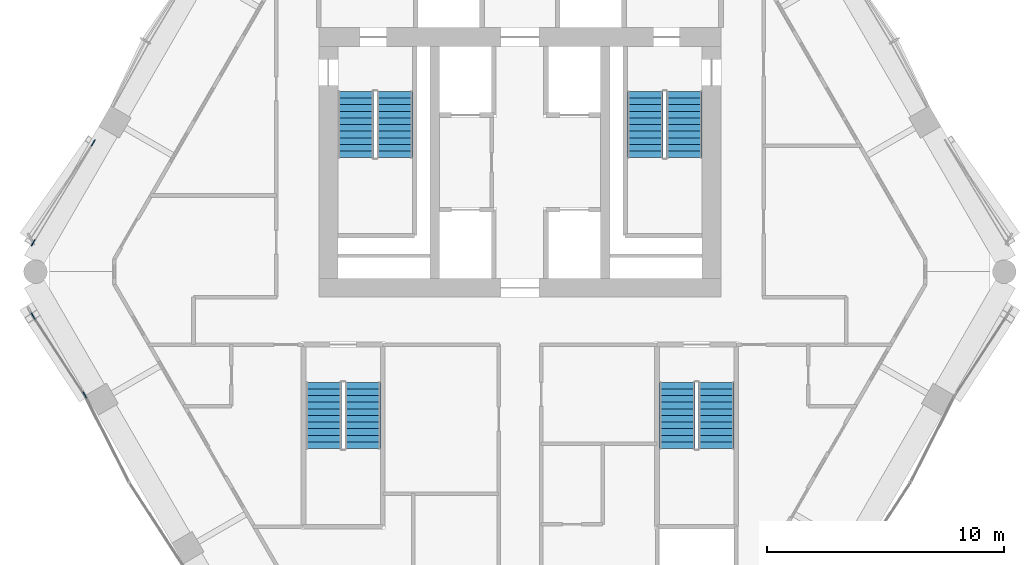
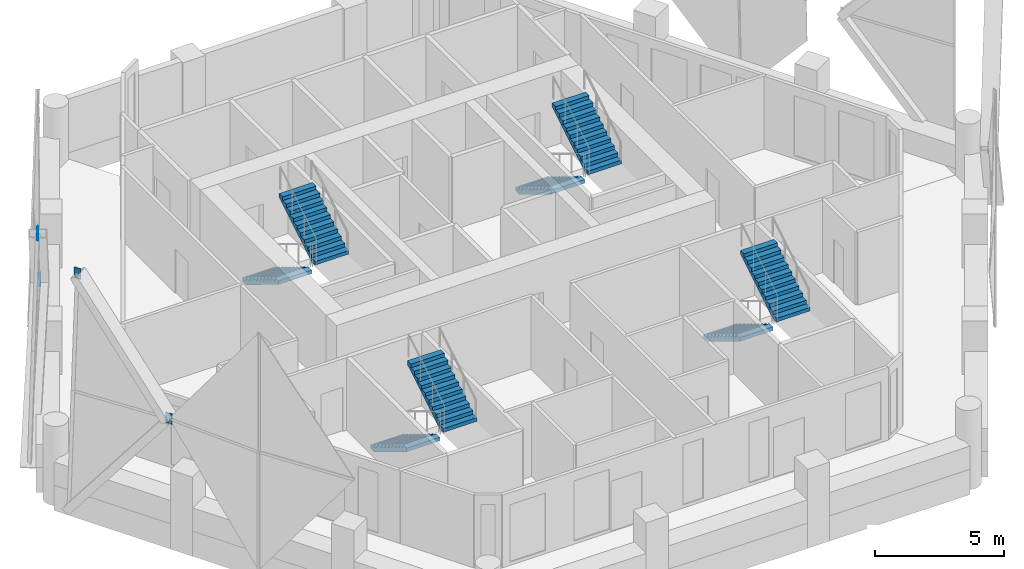
# One storey, part 11 of 13: 8 stair flights, 4 discrete accessories, 4 elements without a shape of their own.
"""IFC4 building model written with IfcOpenShell, lengths in metres."""

from ifc_helpers import new_model, si_unit, direction, frame, origin, origin_2d, place, context, subcontext, project, spatial, polyline, rectangle, outline, extrude, material, layer, layer_set, type_object, element, aggregate, save


model = new_model("IFC4")

# Units and contexts
model_context = context("Model", 3, precision=1e-05, world=origin(), true_north=direction((0.0, 1.0)))
body_context = subcontext(model_context, "Body", "Model", "MODEL_VIEW")
ifc_project = project(units=[si_unit("LENGTHUNIT", "METRE"), si_unit("AREAUNIT", "SQUARE_METRE"), si_unit("VOLUMEUNIT", "CUBIC_METRE"), si_unit("PLANEANGLEUNIT", "RADIAN"), si_unit("MASSUNIT", "GRAM", prefix="KILO")], contexts=[model_context])

# Site, building, storey
site_placement = place(None, origin())
site = spatial("IfcSite", under=ifc_project, at=site_placement, CompositionType="ELEMENT")
building_placement = place(site_placement, origin())
building = spatial("IfcBuilding", under=site, at=building_placement, Name="Ostrander Bayou Hotel Tower", CompositionType="ELEMENT")
storey_placement = place(building_placement, frame((0.0, 0.0, 187.0)))
storey = spatial("IfcBuildingStorey", under=building, at=storey_placement, Name="L46", CompositionType="ELEMENT", Elevation=187.0)

# Stair, stair flights
ifc_material_1 = material(Name="Concrete f'c 45 MPa", Category="concrete")
stair_type = type_object("IfcStairType", Name="ST1 exit stair 1500 mm f'c 45 MPa", PredefinedType="HALF_TURN_STAIR", material=ifc_material_1)
stair_1_placement = place(storey_placement, origin())
stair_1 = element("IfcStair", 1, at=stair_1_placement, inside=storey, type_object=stair_type, Name="L46 exit stair A", PredefinedType="HALF_TURN_STAIR")
ifc_material_2 = material(Name="Concrete f'c 45 MPa", Category="concrete")
stair_flight_type = type_object("IfcStairFlightType", Name="SF1 stair flight 1500 mm f'c 45 MPa", PredefinedType="STRAIGHT", material=ifc_material_2)
stair_flight_1_placement = place(storey_placement, frame((-6.949951171875, 7.0, 0.0), z_axis=(0.0, 0.0, 1.0), x_axis=(0.0, -1.0, 0.0)))
stair_flight_1 = element("IfcStairFlight", 2, at=stair_flight_1_placement, type_object=stair_flight_type, Name="STA flight 1", NumberOfRisers=11, NumberOfTreads=10, PredefinedType="STRAIGHT", RiserHeight=0.170454545, TreadLength=0.28, context=body_context, shape_type="SweptSolid", body=[
    extrude(outline(polyline([(0.0, 0.0), (0.0, 0.17041015625), (0.280029296875, 0.17041015625), (0.280029296875, 0.3408203125), (0.56005859375, 0.3408203125), (0.56005859375, 0.511474609375), (0.840087890625, 0.511474609375), (0.840087890625, 0.681884765625), (1.1201171875, 0.681884765625), (1.1201171875, 0.852294921875), (1.39990234375, 0.852294921875), (1.39990234375, 1.022705078125), (1.679931640625, 1.022705078125), (1.679931640625, 1.193115234375), (1.9599609375, 1.193115234375), (1.9599609375, 1.363525390625), (2.239990234375, 1.363525390625), (2.239990234375, 1.5341796875), (2.52001953125, 1.5341796875), (2.52001953125, 1.70458984375), (2.800048828125, 1.70458984375), (2.800048828125, 1.875), (2.800048828125, 1.529052734375), (0.288330078125, 0.0), (0.0, 0.0)])), frame((0.0, 0.75, 0.0), z_axis=(0.0, -1.0, 0.0), x_axis=(1.0, 0.0, 0.0)), (0.0, 0.0, 1.0), 1.5),
])
stair_flight_2_placement = place(storey_placement, frame((-5.300048828125, 4.199951171875, 1.875), z_axis=(0.0, 0.0, 1.0), x_axis=(0.0, 1.0, 0.0)))
stair_flight_2 = element("IfcStairFlight", 3, at=stair_flight_2_placement, type_object=stair_flight_type, Name="STA flight 2", NumberOfRisers=11, NumberOfTreads=10, PredefinedType="STRAIGHT", RiserHeight=0.170454545, TreadLength=0.28, context=body_context, shape_type="SweptSolid", body=[
    extrude(outline(polyline([(0.0, 0.0), (0.0, 0.17041015625), (0.280029296875, 0.17041015625), (0.280029296875, 0.3408203125), (0.56005859375, 0.3408203125), (0.56005859375, 0.511474609375), (0.840087890625, 0.511474609375), (0.840087890625, 0.681884765625), (1.1201171875, 0.681884765625), (1.1201171875, 0.852294921875), (1.39990234375, 0.852294921875), (1.39990234375, 1.022705078125), (1.679931640625, 1.022705078125), (1.679931640625, 1.193115234375), (1.9599609375, 1.193115234375), (1.9599609375, 1.363525390625), (2.239990234375, 1.363525390625), (2.239990234375, 1.5341796875), (2.52001953125, 1.5341796875), (2.52001953125, 1.70458984375), (2.800048828125, 1.70458984375), (2.800048828125, 1.875), (2.800048828125, 1.529052734375), (0.288330078125, 0.0), (0.0, 0.0)])), frame((0.0, 0.75, 0.0), z_axis=(0.0, -1.0, 0.0), x_axis=(1.0, 0.0, 0.0)), (0.0, 0.0, 1.0), 1.5),
])
aggregate(stair_1, [stair_flight_1, stair_flight_2])

stair_2_placement = place(storey_placement, origin())
stair_2 = element("IfcStair", 4, at=stair_2_placement, inside=storey, type_object=stair_type, Name="L46 exit stair B", PredefinedType="HALF_TURN_STAIR")
stair_flight_3_placement = place(storey_placement, frame((5.300048828125, 7.0, 0.0), z_axis=(0.0, 0.0, 1.0), x_axis=(0.0, -1.0, 0.0)))
stair_flight_3 = element("IfcStairFlight", 5, at=stair_flight_3_placement, type_object=stair_flight_type, Name="STB flight 1", NumberOfRisers=11, NumberOfTreads=10, PredefinedType="STRAIGHT", RiserHeight=0.170454545, TreadLength=0.28, context=body_context, shape_type="SweptSolid", body=[
    extrude(outline(polyline([(0.0, 0.0), (0.0, 0.17041015625), (0.280029296875, 0.17041015625), (0.280029296875, 0.3408203125), (0.56005859375, 0.3408203125), (0.56005859375, 0.511474609375), (0.840087890625, 0.511474609375), (0.840087890625, 0.681884765625), (1.1201171875, 0.681884765625), (1.1201171875, 0.852294921875), (1.39990234375, 0.852294921875), (1.39990234375, 1.022705078125), (1.679931640625, 1.022705078125), (1.679931640625, 1.193115234375), (1.9599609375, 1.193115234375), (1.9599609375, 1.363525390625), (2.239990234375, 1.363525390625), (2.239990234375, 1.5341796875), (2.52001953125, 1.5341796875), (2.52001953125, 1.70458984375), (2.800048828125, 1.70458984375), (2.800048828125, 1.875), (2.800048828125, 1.529052734375), (0.288330078125, 0.0), (0.0, 0.0)])), frame((0.0, 0.75, 0.0), z_axis=(0.0, -1.0, 0.0), x_axis=(1.0, 0.0, 0.0)), (0.0, 0.0, 1.0), 1.5),
])
stair_flight_4_placement = place(storey_placement, frame((6.949951171875, 4.199951171875, 1.875), z_axis=(0.0, 0.0, 1.0), x_axis=(0.0, 1.0, 0.0)))
stair_flight_4 = element("IfcStairFlight", 6, at=stair_flight_4_placement, type_object=stair_flight_type, Name="STB flight 2", NumberOfRisers=11, NumberOfTreads=10, PredefinedType="STRAIGHT", RiserHeight=0.170454545, TreadLength=0.28, context=body_context, shape_type="SweptSolid", body=[
    extrude(outline(polyline([(0.0, 0.0), (0.0, 0.17041015625), (0.280029296875, 0.17041015625), (0.280029296875, 0.3408203125), (0.56005859375, 0.3408203125), (0.56005859375, 0.511474609375), (0.840087890625, 0.511474609375), (0.840087890625, 0.681884765625), (1.1201171875, 0.681884765625), (1.1201171875, 0.852294921875), (1.39990234375, 0.852294921875), (1.39990234375, 1.022705078125), (1.679931640625, 1.022705078125), (1.679931640625, 1.193115234375), (1.9599609375, 1.193115234375), (1.9599609375, 1.363525390625), (2.239990234375, 1.363525390625), (2.239990234375, 1.5341796875), (2.52001953125, 1.5341796875), (2.52001953125, 1.70458984375), (2.800048828125, 1.70458984375), (2.800048828125, 1.875), (2.800048828125, 1.529052734375), (0.288330078125, 0.0), (0.0, 0.0)])), frame((0.0, 0.75, 0.0), z_axis=(0.0, -1.0, 0.0), x_axis=(1.0, 0.0, 0.0)), (0.0, 0.0, 1.0), 1.5),
])
aggregate(stair_2, [stair_flight_3, stair_flight_4])

stair_3_placement = place(storey_placement, origin())
stair_3 = element("IfcStair", 7, at=stair_3_placement, inside=storey, type_object=stair_type, Name="L46 exit stair C", PredefinedType="HALF_TURN_STAIR")
stair_flight_5_placement = place(storey_placement, frame((6.64990234375, -5.300048828125, 0.0), z_axis=(0.0, 0.0, 1.0), x_axis=(0.0, -1.0, 0.0)))
stair_flight_5 = element("IfcStairFlight", 8, at=stair_flight_5_placement, type_object=stair_flight_type, Name="STC flight 1", NumberOfRisers=11, NumberOfTreads=10, PredefinedType="STRAIGHT", RiserHeight=0.170454545, TreadLength=0.28, context=body_context, shape_type="SweptSolid", body=[
    extrude(outline(polyline([(0.0, 0.0), (0.0, 0.17041015625), (0.280029296875, 0.17041015625), (0.280029296875, 0.3408203125), (0.56005859375, 0.3408203125), (0.56005859375, 0.511474609375), (0.840087890625, 0.511474609375), (0.840087890625, 0.681884765625), (1.1201171875, 0.681884765625), (1.1201171875, 0.852294921875), (1.39990234375, 0.852294921875), (1.39990234375, 1.022705078125), (1.679931640625, 1.022705078125), (1.679931640625, 1.193115234375), (1.9599609375, 1.193115234375), (1.9599609375, 1.363525390625), (2.239990234375, 1.363525390625), (2.239990234375, 1.5341796875), (2.52001953125, 1.5341796875), (2.52001953125, 1.70458984375), (2.800048828125, 1.70458984375), (2.800048828125, 1.875), (2.800048828125, 1.529052734375), (0.288330078125, 0.0), (0.0, 0.0)])), frame((0.0, 0.75, 0.0), z_axis=(0.0, -1.0, 0.0), x_axis=(1.0, 0.0, 0.0)), (0.0, 0.0, 1.0), 1.5),
])
stair_flight_6_placement = place(storey_placement, frame((8.300048828125, -8.10009765625, 1.875), z_axis=(0.0, 0.0, 1.0), x_axis=(0.0, 1.0, 0.0)))
stair_flight_6 = element("IfcStairFlight", 9, at=stair_flight_6_placement, type_object=stair_flight_type, Name="STC flight 2", NumberOfRisers=11, NumberOfTreads=10, PredefinedType="STRAIGHT", RiserHeight=0.170454545, TreadLength=0.28, context=body_context, shape_type="SweptSolid", body=[
    extrude(outline(polyline([(0.0, 0.0), (0.0, 0.17041015625), (0.280029296875, 0.17041015625), (0.280029296875, 0.3408203125), (0.56005859375, 0.3408203125), (0.56005859375, 0.511474609375), (0.840087890625, 0.511474609375), (0.840087890625, 0.681884765625), (1.1201171875, 0.681884765625), (1.1201171875, 0.852294921875), (1.39990234375, 0.852294921875), (1.39990234375, 1.022705078125), (1.679931640625, 1.022705078125), (1.679931640625, 1.193115234375), (1.9599609375, 1.193115234375), (1.9599609375, 1.363525390625), (2.239990234375, 1.363525390625), (2.239990234375, 1.5341796875), (2.52001953125, 1.5341796875), (2.52001953125, 1.70458984375), (2.800048828125, 1.70458984375), (2.800048828125, 1.875), (2.800048828125, 1.529052734375), (0.288330078125, 0.0), (0.0, 0.0)])), frame((0.0, 0.75, 0.0), z_axis=(0.0, -1.0, 0.0), x_axis=(1.0, 0.0, 0.0)), (0.0, 0.0, 1.0), 1.5),
])
aggregate(stair_3, [stair_flight_5, stair_flight_6])

stair_4_placement = place(storey_placement, origin())
stair_4 = element("IfcStair", 10, at=stair_4_placement, inside=storey, type_object=stair_type, Name="L46 exit stair D", PredefinedType="HALF_TURN_STAIR")
stair_flight_7_placement = place(storey_placement, frame((-8.300048828125, -5.300048828125, 0.0), z_axis=(0.0, 0.0, 1.0), x_axis=(0.0, -1.0, 0.0)))
stair_flight_7 = element("IfcStairFlight", 11, at=stair_flight_7_placement, type_object=stair_flight_type, Name="STD flight 1", NumberOfRisers=11, NumberOfTreads=10, PredefinedType="STRAIGHT", RiserHeight=0.170454545, TreadLength=0.28, context=body_context, shape_type="SweptSolid", body=[
    extrude(outline(polyline([(0.0, 0.0), (0.0, 0.17041015625), (0.280029296875, 0.17041015625), (0.280029296875, 0.3408203125), (0.56005859375, 0.3408203125), (0.56005859375, 0.511474609375), (0.840087890625, 0.511474609375), (0.840087890625, 0.681884765625), (1.1201171875, 0.681884765625), (1.1201171875, 0.852294921875), (1.39990234375, 0.852294921875), (1.39990234375, 1.022705078125), (1.679931640625, 1.022705078125), (1.679931640625, 1.193115234375), (1.9599609375, 1.193115234375), (1.9599609375, 1.363525390625), (2.239990234375, 1.363525390625), (2.239990234375, 1.5341796875), (2.52001953125, 1.5341796875), (2.52001953125, 1.70458984375), (2.800048828125, 1.70458984375), (2.800048828125, 1.875), (2.800048828125, 1.529052734375), (0.288330078125, 0.0), (0.0, 0.0)])), frame((0.0, 0.75, 0.0), z_axis=(0.0, -1.0, 0.0), x_axis=(1.0, 0.0, 0.0)), (0.0, 0.0, 1.0), 1.5),
])
stair_flight_8_placement = place(storey_placement, frame((-6.64990234375, -8.10009765625, 1.875), z_axis=(0.0, 0.0, 1.0), x_axis=(0.0, 1.0, 0.0)))
stair_flight_8 = element("IfcStairFlight", 12, at=stair_flight_8_placement, type_object=stair_flight_type, Name="STD flight 2", NumberOfRisers=11, NumberOfTreads=10, PredefinedType="STRAIGHT", RiserHeight=0.170454545, TreadLength=0.28, context=body_context, shape_type="SweptSolid", body=[
    extrude(outline(polyline([(0.0, 0.0), (0.0, 0.17041015625), (0.280029296875, 0.17041015625), (0.280029296875, 0.3408203125), (0.56005859375, 0.3408203125), (0.56005859375, 0.511474609375), (0.840087890625, 0.511474609375), (0.840087890625, 0.681884765625), (1.1201171875, 0.681884765625), (1.1201171875, 0.852294921875), (1.39990234375, 0.852294921875), (1.39990234375, 1.022705078125), (1.679931640625, 1.022705078125), (1.679931640625, 1.193115234375), (1.9599609375, 1.193115234375), (1.9599609375, 1.363525390625), (2.239990234375, 1.363525390625), (2.239990234375, 1.5341796875), (2.52001953125, 1.5341796875), (2.52001953125, 1.70458984375), (2.800048828125, 1.70458984375), (2.800048828125, 1.875), (2.800048828125, 1.529052734375), (0.288330078125, 0.0), (0.0, 0.0)])), frame((0.0, 0.75, 0.0), z_axis=(0.0, -1.0, 0.0), x_axis=(1.0, 0.0, 0.0)), (0.0, 0.0, 1.0), 1.5),
])
aggregate(stair_4, [stair_flight_7, stair_flight_8])

# Discrete accessories
ifc_material_3 = material(Name="Steel ASTM A572 Gr 50", Category="steel")
ifc_layer = layer(ifc_material_3, 0.030029296875)
ifc_layer_set = layer_set([ifc_layer], Name="GP1 gusset plate 30 mm")
discrete_accessory_type = type_object("IfcDiscreteAccessoryType", Name="GP1 gusset plate 30 mm", PredefinedType="BRACKET", material=ifc_layer_set)
for number, where, z_axis, x_axis, name in (
    (13, (-18.035400390625, 4.82861328125, 4.77490234375), (0.0, 0.0, 1.0), (-0.5, -0.866025403784, 0.0), "GP1 gusset plate lat 301"),
    (14, (-20.576416015625, 0.602294921875, 10.39990234375), (0.0, 0.0, 1.0), (-0.5, -0.866025403784, 0.0), "GP1 gusset plate lat 302"),
    (15, (-18.400146484375, -5.82470703125, 4.77490234375), (0.0, 0.0, 1.0), (0.5, -0.866025403784, 0.0), "GP1 gusset plate lat 303"),
    (16, (-20.576416015625, -2.500732421875, 10.39990234375), (0.0, 0.0, 1.0), (0.5, -0.866025403784, 0.0), "GP1 gusset plate lat 304"),
):
    element("IfcDiscreteAccessory", number, at=place(storey_placement, frame(where, z_axis=z_axis, x_axis=x_axis)), inside=storey, type_object=discrete_accessory_type, Name=name, PredefinedType="BRACKET", context=body_context, shape_type="SweptSolid", body=[
        extrude(rectangle(XDim=0.300048828125, YDim=0.030029296875, at=origin_2d()), origin(), (0.0, 0.0, 1.0), 0.5),
    ])

save(model, "model.ifc")
